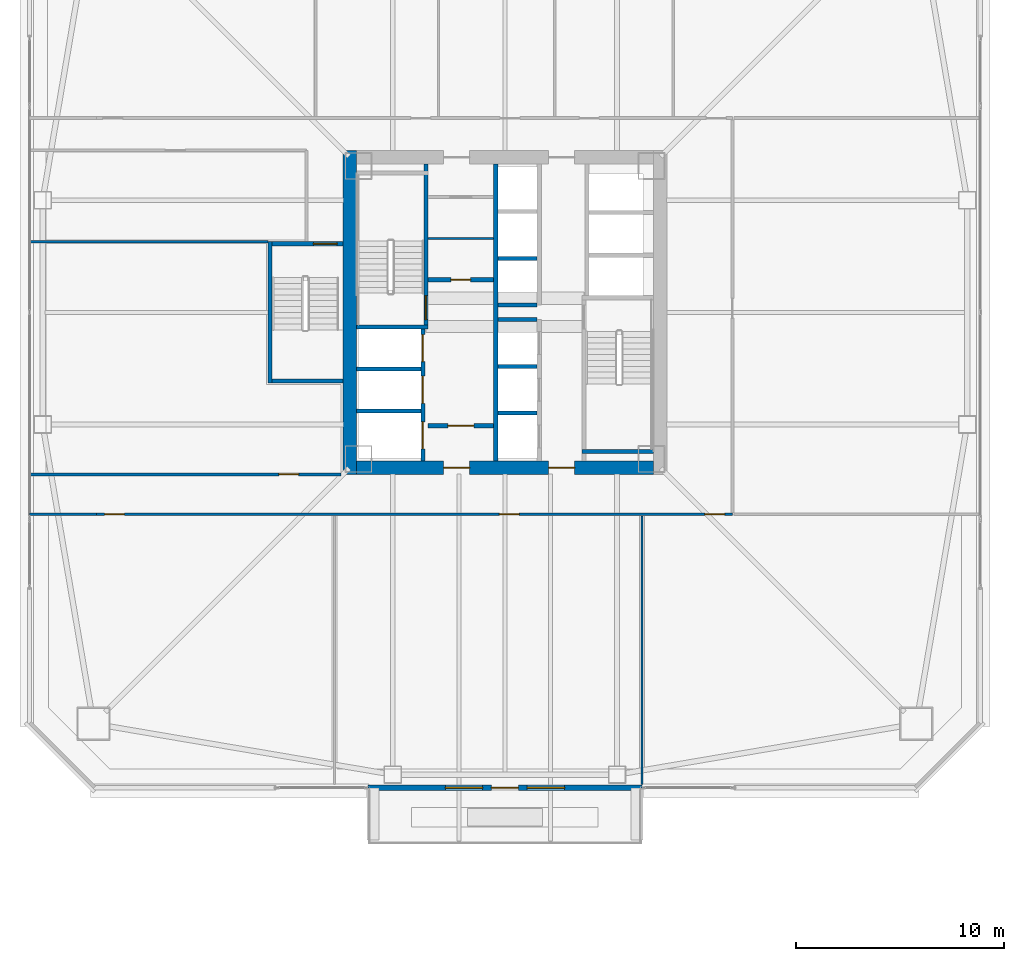
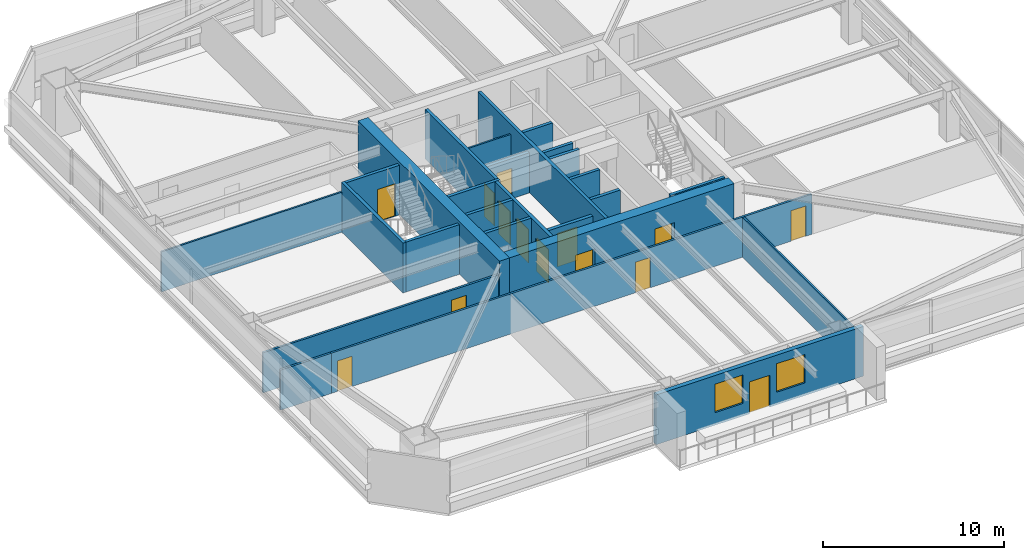
# One storey, part 36 of 48: 26 walls, 14 doors, 2 windows, 16 openings.
"""IFC4 building model written with IfcOpenShell, lengths in metres."""

from ifc_helpers import new_model, si_unit, direction, frame, frame_2d, origin, place, context, subcontext, project, spatial, rectangle, extrude, material, layer, layer_set, type_object, element, fill, save


model = new_model("IFC4")

# Units and contexts
model_context = context("Model", 3, precision=1e-05, world=origin(), true_north=direction((0.0, 1.0)))
body_context = subcontext(model_context, "Body", "Model", "MODEL_VIEW")
ifc_project = project(units=[si_unit("LENGTHUNIT", "METRE"), si_unit("AREAUNIT", "SQUARE_METRE"), si_unit("VOLUMEUNIT", "CUBIC_METRE"), si_unit("PLANEANGLEUNIT", "RADIAN"), si_unit("MASSUNIT", "GRAM", prefix="KILO")], contexts=[model_context])

# Site, building, storey
site_placement = place(None, origin())
site = spatial("IfcSite", under=ifc_project, at=site_placement, CompositionType="ELEMENT")
building_placement = place(site_placement, origin())
building = spatial("IfcBuilding", under=site, at=building_placement, Name="Tashvorn Skyway Center", CompositionType="ELEMENT")
storey_placement = place(building_placement, frame((0.0, 0.0, 56.550048828125)))
storey = spatial("IfcBuildingStorey", under=building, at=storey_placement, Name="L14", CompositionType="ELEMENT", Elevation=56.550048828125)

# Wall
ifc_material_1 = material(Name="Concrete C60/75", Category="concrete")
ifc_layer_1 = layer(ifc_material_1, 0.64990234375)
ifc_layer_set_1 = layer_set([ifc_layer_1], Name="Concrete C60/75")
wall_type_1 = type_object("IfcWallType", Name="WALL-CORE-650", PredefinedType="SHEAR", material=ifc_layer_set_1)
wall_1_placement = place(storey_placement, frame((34.52490234375, 24.199951171875, 0.0), z_axis=(0.0, 0.0, 1.0), x_axis=(0.0, 1.0, 0.0)))
element("IfcWall", 1, at=wall_1_placement, inside=storey, type_object=wall_type_1, Name="Tower 1 L14 West Core Shear Wall", PredefinedType="SHEAR", context=body_context, shape_type="SweptSolid", body=[
    extrude(rectangle(XDim=15.60009765625, YDim=0.64990234375, at=frame_2d((7.800048828125, 0.0))), origin(), (0.0, 0.0, 1.0), 3.550048828125),
])

# Wall, openings, doors
wall_2_placement = place(storey_placement, frame((49.14990234375, 24.52490234375, 0.0), z_axis=(0.0, 0.0, 1.0), x_axis=(-1.0, 0.0, 0.0)))
wall_2 = element("IfcWall", 2, at=wall_2_placement, inside=storey, type_object=wall_type_1, Name="Tower 1 L14 South Core Shear Wall", PredefinedType="SHEAR", context=body_context, shape_type="SweptSolid", body=[
    extrude(rectangle(XDim=14.2998046875, YDim=0.64990234375, at=frame_2d((7.14990234375, 0.0))), origin(), (0.0, 0.0, 1.0), 3.550048828125),
])
opening_1_placement = place(wall_2_placement, frame((8.85009765625, 0.0, 0.0)))
opening_1 = element("IfcOpeningElement", 3, at=opening_1_placement, cuts=wall_2, Name="Opening D-FFL-1250", PredefinedType="OPENING", context=body_context, shape_type="SweptSolid", body=[
    extrude(rectangle(XDim=1.25, YDim=2.25, at=frame_2d((0.625, 1.125))), frame((0.0, 0.3349609375, 0.0), z_axis=(0.0, -1.0, 0.0), x_axis=(1.0, 0.0, 0.0)), (0.0, 0.0, 1.0), 0.669921875),
])
opening_2_placement = place(wall_2_placement, frame((3.800048828125, 0.0, 0.0)))
opening_2 = element("IfcOpeningElement", 4, at=opening_2_placement, cuts=wall_2, Name="Opening D-FFL-1250", PredefinedType="OPENING", context=body_context, shape_type="SweptSolid", body=[
    extrude(rectangle(XDim=1.25, YDim=2.25, at=frame_2d((0.625, 1.125))), frame((0.0, 0.3349609375, 0.0), z_axis=(0.0, -1.0, 0.0), x_axis=(1.0, 0.0, 0.0)), (0.0, 0.0, 1.0), 0.669921875),
])
ifc_material_2 = material(Name="Hollow galvanized steel fire door assembly", Category="steel")
door_type_1 = type_object("IfcDoorType", Name="DOOR-FFL-1250", OperationType="NOTDEFINED", PredefinedType="DOOR", material=ifc_material_2)
door_1_placement = place(opening_1_placement, origin())
door_1 = element("IfcDoor", 5, at=door_1_placement, inside=storey, type_object=door_type_1, Name="Tower 1 L14 Core South Firefighting Exit Door", OperationType="SINGLE_SWING_LEFT", OverallHeight=2.25, OverallWidth=1.25, PredefinedType="DOOR", context=body_context, shape_type="SweptSolid", body=[
    extrude(rectangle(XDim=1.25, YDim=2.25, at=frame_2d((0.625, 1.125))), frame((0.0, 0.02490234375, 0.0), z_axis=(0.0, -1.0, 0.0), x_axis=(1.0, 0.0, 0.0)), (0.0, 0.0, 1.0), 0.050048828125),
])
fill(opening_1, door_1)
door_2_placement = place(opening_2_placement, origin())
door_2 = element("IfcDoor", 6, at=door_2_placement, inside=storey, type_object=door_type_1, Name="Tower 1 L14 Core South Lift Lobby Door", OperationType="SINGLE_SWING_RIGHT", OverallHeight=2.25, OverallWidth=1.25, PredefinedType="DOOR", context=body_context, shape_type="SweptSolid", body=[
    extrude(rectangle(XDim=1.25, YDim=2.25, at=frame_2d((0.625, 1.125))), frame((0.0, 0.02490234375, 0.0), z_axis=(0.0, -1.0, 0.0), x_axis=(1.0, 0.0, 0.0)), (0.0, 0.0, 1.0), 0.050048828125),
])
fill(opening_2, door_2)

# Wall, openings, door, windows
ifc_material_3 = material(Name="Precast concrete C40/50", Category="concrete")
ifc_layer_2 = layer(ifc_material_3, 0.280029296875)
ifc_layer_set_2 = layer_set([ifc_layer_2], Name="Precast concrete C40/50")
wall_type_2 = type_object("IfcWallType", Name="WALL-EXT-280", PredefinedType="SOLIDWALL", material=ifc_layer_set_2)
wall_3_placement = place(storey_placement, frame((48.60009765625, 9.1201171875, 0.0), z_axis=(0.0, 0.0, 1.0), x_axis=(-1.0, 0.0, 0.0)))
wall_3 = element("IfcWall", 7, at=wall_3_placement, inside=storey, type_object=wall_type_2, Name="Tower 1 L14 South Sky Garden Loggia Wall", PredefinedType="SOLIDWALL", context=body_context, shape_type="SweptSolid", body=[
    extrude(rectangle(XDim=13.2001953125, YDim=0.280029296875, at=frame_2d((6.60009765625, 0.0))), origin(), (0.0, 0.0, 1.0), 3.349853515625),
])
opening_3_placement = place(wall_3_placement, frame((5.949951171875, 0.0, 0.0)))
opening_3 = element("IfcOpeningElement", 8, at=opening_3_placement, cuts=wall_3, Name="Opening D-TER-1300", PredefinedType="OPENING", context=body_context, shape_type="SweptSolid", body=[
    extrude(rectangle(XDim=1.300048828125, YDim=2.14990234375, at=frame_2d((0.64990234375, 1.074951171875))), frame((0.0, 0.14990234375, 0.0), z_axis=(0.0, -1.0, 0.0), x_axis=(1.0, 0.0, 0.0)), (0.0, 0.0, 1.0), 0.300048828125),
])
opening_4_placement = place(wall_3_placement, frame((3.73193359375, 0.0, 0.85009765625)))
opening_4 = element("IfcOpeningElement", 9, at=opening_4_placement, cuts=wall_3, Name="Opening WIN-1800", PredefinedType="OPENING", context=body_context, shape_type="SweptSolid", body=[
    extrude(rectangle(XDim=1.800048828125, YDim=1.919921875, at=frame_2d((0.89990234375, 0.9599609375))), frame((0.0, 0.14990234375, 0.0), z_axis=(0.0, -1.0, 0.0), x_axis=(1.0, 0.0, 0.0)), (0.0, 0.0, 1.0), 0.300048828125),
])
opening_5_placement = place(wall_3_placement, frame((7.66796875, 0.0, 0.85009765625)))
opening_5 = element("IfcOpeningElement", 10, at=opening_5_placement, cuts=wall_3, Name="Opening WIN-1800", PredefinedType="OPENING", context=body_context, shape_type="SweptSolid", body=[
    extrude(rectangle(XDim=1.800048828125, YDim=1.919921875, at=frame_2d((0.89990234375, 0.9599609375))), frame((0.0, 0.14990234375, 0.0), z_axis=(0.0, -1.0, 0.0), x_axis=(1.0, 0.0, 0.0)), (0.0, 0.0, 1.0), 0.300048828125),
])
ifc_material_4 = material(Name="Thermally broken bronze-anodized aluminium 6063-T6", Category="aluminium")
door_type_2 = type_object("IfcDoorType", Name="DOOR-TERR-1300", OperationType="NOTDEFINED", PredefinedType="DOOR", material=ifc_material_4)
door_3_placement = place(opening_3_placement, origin())
door_3 = element("IfcDoor", 11, at=door_3_placement, inside=storey, type_object=door_type_2, Name="Tower 1 L14 Sky Garden Access Door", OperationType="SINGLE_SWING_RIGHT", OverallHeight=2.14990234375, OverallWidth=1.300048828125, PredefinedType="DOOR", context=body_context, shape_type="SweptSolid", body=[
    extrude(rectangle(XDim=1.300048828125, YDim=2.14990234375, at=frame_2d((0.64990234375, 1.074951171875))), frame((0.0, 0.02490234375, 0.0), z_axis=(0.0, -1.0, 0.0), x_axis=(1.0, 0.0, 0.0)), (0.0, 0.0, 1.0), 0.050048828125),
])
fill(opening_3, door_3)
ifc_material_5 = material(Name="Low-E solar-control double insulating safety glass", Category="glass")
window_type = type_object("IfcWindowType", Name="WIN-TERR-1800", PartitioningType="SINGLE_PANEL", PredefinedType="WINDOW", material=ifc_material_5)
window_1_placement = place(opening_4_placement, origin())
window_1 = element("IfcWindow", 12, at=window_1_placement, inside=storey, type_object=window_type, Name="Tower 1 L14 Sky Garden Window", OverallHeight=1.919921875, OverallWidth=1.800048828125, PartitioningType="SINGLE_PANEL", PredefinedType="WINDOW", context=body_context, shape_type="SweptSolid", body=[
    extrude(rectangle(XDim=1.800048828125, YDim=1.919921875, at=frame_2d((0.89990234375, 0.9599609375))), frame((0.0, 0.030029296875, 0.0), z_axis=(0.0, -1.0, 0.0), x_axis=(1.0, 0.0, 0.0)), (0.0, 0.0, 1.0), 0.06005859375),
])
fill(opening_4, window_1)
window_2_placement = place(opening_5_placement, origin())
window_2 = element("IfcWindow", 13, at=window_2_placement, inside=storey, type_object=window_type, Name="Tower 1 L14 Sky Garden Second Window", OverallHeight=1.919921875, OverallWidth=1.800048828125, PartitioningType="SINGLE_PANEL", PredefinedType="WINDOW", context=body_context, shape_type="SweptSolid", body=[
    extrude(rectangle(XDim=1.800048828125, YDim=1.919921875, at=frame_2d((0.89990234375, 0.9599609375))), frame((0.0, 0.030029296875, 0.0), z_axis=(0.0, -1.0, 0.0), x_axis=(1.0, 0.0, 0.0)), (0.0, 0.0, 1.0), 0.06005859375),
])
fill(opening_5, window_2)

# Wall, opening, door
ifc_material_6 = material(Name="Concrete C40/50", Category="concrete")
ifc_layer_3 = layer(ifc_material_6, 0.219970703125)
ifc_layer_set_3 = layer_set([ifc_layer_3], Name="Concrete C40/50")
wall_type_3 = type_object("IfcWallType", Name="WALL-FFL-220", PredefinedType="SOLIDWALL", material=ifc_layer_set_3)
wall_4_placement = place(storey_placement, frame((38.300048828125, 33.56005859375, 0.0), z_axis=(0.0, 0.0, 1.0), x_axis=(1.0, 0.0, 0.0)))
wall_4 = element("IfcWall", 14, at=wall_4_placement, inside=storey, type_object=wall_type_3, Name="Tower 1 L14 Firefighting Lobby North Wall", PredefinedType="SOLIDWALL", context=body_context, shape_type="SweptSolid", body=[
    extrude(rectangle(XDim=3.14990234375, YDim=0.219970703125, at=frame_2d((1.574951171875, 0.0))), origin(), (0.0, 0.0, 1.0), 2.702880859375),
])
opening_6_placement = place(wall_4_placement, frame((1.10009765625, 0.0, 0.0)))
opening_6 = element("IfcOpeningElement", 15, at=opening_6_placement, cuts=wall_4, Name="Opening D-RT-950", PredefinedType="OPENING", context=body_context, shape_type="SweptSolid", body=[
    extrude(rectangle(XDim=0.949951171875, YDim=2.050048828125, at=frame_2d((0.47509765625, 1.02490234375))), frame((0.0, 0.119873046875, 0.0), z_axis=(0.0, -1.0, 0.0), x_axis=(1.0, 0.0, 0.0)), (0.0, 0.0, 1.0), 0.239990234375),
])
door_type_3 = type_object("IfcDoorType", Name="DOOR-RATED-950", OperationType="NOTDEFINED", PredefinedType="DOOR", material=ifc_material_2)
door_4_placement = place(opening_6_placement, origin())
door_4 = element("IfcDoor", 16, at=door_4_placement, inside=storey, type_object=door_type_3, Name="Tower 1 L14 Core Linen Store Door", OperationType="SINGLE_SWING_LEFT", OverallHeight=2.050048828125, OverallWidth=0.949951171875, PredefinedType="DOOR", context=body_context, shape_type="SweptSolid", body=[
    extrude(rectangle(XDim=0.949951171875, YDim=2.050048828125, at=frame_2d((0.47509765625, 1.02490234375))), frame((0.0, 0.02490234375, 0.0), z_axis=(0.0, -1.0, 0.0), x_axis=(1.0, 0.0, 0.0)), (0.0, 0.0, 1.0), 0.050048828125),
])
fill(opening_6, door_4)

wall_5_placement = place(storey_placement, frame((38.300048828125, 26.5400390625, 0.0), z_axis=(0.0, 0.0, 1.0), x_axis=(1.0, 0.0, 0.0)))
wall_5 = element("IfcWall", 17, at=wall_5_placement, inside=storey, type_object=wall_type_3, Name="Tower 1 L14 Firefighting Lobby South Wall", PredefinedType="SOLIDWALL", context=body_context, shape_type="SweptSolid", body=[
    extrude(rectangle(XDim=3.14990234375, YDim=0.219970703125, at=frame_2d((1.574951171875, 0.0))), origin(), (0.0, 0.0, 1.0), 2.702880859375),
])
opening_7_placement = place(wall_5_placement, frame((0.949951171875, 0.0, 0.0)))
opening_7 = element("IfcOpeningElement", 18, at=opening_7_placement, cuts=wall_5, Name="Opening D-FFL-1250", PredefinedType="OPENING", context=body_context, shape_type="SweptSolid", body=[
    extrude(rectangle(XDim=1.25, YDim=2.25, at=frame_2d((0.625, 1.125))), frame((0.0, 0.119873046875, 0.0), z_axis=(0.0, -1.0, 0.0), x_axis=(1.0, 0.0, 0.0)), (0.0, 0.0, 1.0), 0.239990234375),
])
door_5_placement = place(opening_7_placement, origin())
door_5 = element("IfcDoor", 19, at=door_5_placement, inside=storey, type_object=door_type_1, Name="Tower 1 L14 Firefighting Lobby Egress Door", OperationType="SINGLE_SWING_LEFT", OverallHeight=2.25, OverallWidth=1.25, PredefinedType="DOOR", context=body_context, shape_type="SweptSolid", body=[
    extrude(rectangle(XDim=1.25, YDim=2.25, at=frame_2d((0.625, 1.125))), frame((0.0, 0.02490234375, 0.0), z_axis=(0.0, -1.0, 0.0), x_axis=(1.0, 0.0, 0.0)), (0.0, 0.0, 1.0), 0.050048828125),
])
fill(opening_7, door_5)

# Walls
ifc_material_7 = material(Name="Gypsum board on cold-formed steel stud framing", Category="steel")
ifc_layer_4 = layer(ifc_material_7, 0.110107421875)
ifc_layer_set_4 = layer_set([ifc_layer_4], Name="Gypsum board on cold-formed steel stud framing")
wall_type_4 = type_object("IfcWallType", Name="WALL-PART-110", PredefinedType="PARTITIONING", material=ifc_layer_set_4)
wall_6_placement = place(storey_placement, frame((48.60009765625, 9.27001953125, 0.0), z_axis=(0.0, 0.0, 1.0), x_axis=(0.0, 1.0, 0.0)))
element("IfcWall", 20, at=wall_6_placement, inside=storey, type_object=wall_type_4, Name="Tower 1 L14 South Suite Partition 2", PredefinedType="PARTITIONING", context=body_context, shape_type="SweptSolid", body=[
    extrude(rectangle(XDim=12.929931640625, YDim=0.110107421875, at=frame_2d((6.46484375, 0.0))), origin(), (0.0, 0.0, 1.0), 2.702880859375),
])
wall_7_placement = place(storey_placement, frame((30.60009765625, 35.39990234375, 0.0), z_axis=(0.0, 0.0, 1.0), x_axis=(-1.0, 0.0, 0.0)))
element("IfcWall", 21, at=wall_7_placement, inside=storey, type_object=wall_type_4, Name="Tower 1 L14 West Suite Partition 1", PredefinedType="PARTITIONING", context=body_context, shape_type="SweptSolid", body=[
    extrude(rectangle(XDim=11.47998046875, YDim=0.110107421875, at=frame_2d((5.739990234375, 0.0))), origin(), (0.0, 0.0, 1.0), 2.702880859375),
])

# Wall, openings, doors
ifc_layer_5 = layer(ifc_material_7, 0.135009765625)
ifc_layer_set_5 = layer_set([ifc_layer_5], Name="Gypsum board on cold-formed steel stud framing")
wall_type_5 = type_object("IfcWallType", Name="WALL-PART-135", PredefinedType="PARTITIONING", material=ifc_layer_set_5)
wall_8_placement = place(storey_placement, frame((52.949951171875, 22.280029296875, 0.0), z_axis=(0.0, 0.0, 1.0), x_axis=(-1.0, 0.0, 0.0)))
wall_8 = element("IfcWall", 22, at=wall_8_placement, inside=storey, type_object=wall_type_5, Name="Tower 1 L14 South Suite Wall", PredefinedType="PARTITIONING", context=body_context, shape_type="SweptSolid", body=[
    extrude(rectangle(XDim=30.599853515625, YDim=0.135009765625, at=frame_2d((15.2998046875, 0.0))), origin(), (0.0, 0.0, 1.0), 2.702880859375),
])
opening_8_placement = place(wall_8_placement, frame((29.27001953125, 0.0, 0.0)))
opening_8 = element("IfcOpeningElement", 23, at=opening_8_placement, cuts=wall_8, Name="Opening D-INT-950", PredefinedType="OPENING", context=body_context, shape_type="SweptSolid", body=[
    extrude(rectangle(XDim=0.949951171875, YDim=2.050048828125, at=frame_2d((0.47509765625, 1.02490234375))), frame((0.0, 0.077392578125, 0.0), z_axis=(0.0, -1.0, 0.0), x_axis=(1.0, 0.0, 0.0)), (0.0, 0.0, 1.0), 0.155029296875),
])
opening_9_placement = place(wall_8_placement, frame((10.26806640625, 0.0, 0.0)))
opening_9 = element("IfcOpeningElement", 24, at=opening_9_placement, cuts=wall_8, Name="Opening D-INT-950", PredefinedType="OPENING", context=body_context, shape_type="SweptSolid", body=[
    extrude(rectangle(XDim=0.949951171875, YDim=2.050048828125, at=frame_2d((0.47509765625, 1.02490234375))), frame((0.0, 0.077392578125, 0.0), z_axis=(0.0, -1.0, 0.0), x_axis=(1.0, 0.0, 0.0)), (0.0, 0.0, 1.0), 0.155029296875),
])
opening_10_placement = place(wall_8_placement, frame((0.3798828125, 0.0, 0.0)))
opening_10 = element("IfcOpeningElement", 25, at=opening_10_placement, cuts=wall_8, Name="Opening D-INT-950", PredefinedType="OPENING", context=body_context, shape_type="SweptSolid", body=[
    extrude(rectangle(XDim=0.949951171875, YDim=2.050048828125, at=frame_2d((0.47509765625, 1.02490234375))), frame((0.0, 0.077392578125, 0.0), z_axis=(0.0, -1.0, 0.0), x_axis=(1.0, 0.0, 0.0)), (0.0, 0.0, 1.0), 0.155029296875),
])
ifc_material_8 = material(Name="Solid-core architectural oak veneer door")
door_type_4 = type_object("IfcDoorType", Name="DOOR-INT-950", OperationType="NOTDEFINED", PredefinedType="DOOR", material=ifc_material_8)
door_6_placement = place(opening_8_placement, origin())
door_6 = element("IfcDoor", 26, at=door_6_placement, inside=storey, type_object=door_type_4, Name="Tower 1 L14 Research Library Door", OperationType="SINGLE_SWING_RIGHT", OverallHeight=2.050048828125, OverallWidth=0.949951171875, PredefinedType="DOOR", context=body_context, shape_type="SweptSolid", body=[
    extrude(rectangle(XDim=0.949951171875, YDim=2.050048828125, at=frame_2d((0.47509765625, 1.02490234375))), frame((0.0, 0.02490234375, 0.0), z_axis=(0.0, -1.0, 0.0), x_axis=(1.0, 0.0, 0.0)), (0.0, 0.0, 1.0), 0.050048828125),
])
fill(opening_8, door_6)
door_7_placement = place(opening_9_placement, origin())
door_7 = element("IfcDoor", 27, at=door_7_placement, inside=storey, type_object=door_type_4, Name="Tower 1 L14 Collaborative Studio Door", OperationType="SINGLE_SWING_LEFT", OverallHeight=2.050048828125, OverallWidth=0.949951171875, PredefinedType="DOOR", context=body_context, shape_type="SweptSolid", body=[
    extrude(rectangle(XDim=0.949951171875, YDim=2.050048828125, at=frame_2d((0.47509765625, 1.02490234375))), frame((0.0, 0.02490234375, 0.0), z_axis=(0.0, -1.0, 0.0), x_axis=(1.0, 0.0, 0.0)), (0.0, 0.0, 1.0), 0.050048828125),
])
fill(opening_9, door_7)
door_8_placement = place(opening_10_placement, origin())
door_8 = element("IfcDoor", 28, at=door_8_placement, inside=storey, type_object=door_type_4, Name="Tower 1 L14 Collaborative Studio Door", OperationType="SINGLE_SWING_RIGHT", OverallHeight=2.050048828125, OverallWidth=0.949951171875, PredefinedType="DOOR", context=body_context, shape_type="SweptSolid", body=[
    extrude(rectangle(XDim=0.949951171875, YDim=2.050048828125, at=frame_2d((0.47509765625, 1.02490234375))), frame((0.0, 0.02490234375, 0.0), z_axis=(0.0, -1.0, 0.0), x_axis=(1.0, 0.0, 0.0)), (0.0, 0.0, 1.0), 0.050048828125),
])
fill(opening_10, door_8)

# Wall
wall_9_placement = place(storey_placement, frame((19.1201171875, 22.280029296875, 0.0), z_axis=(0.0, 0.0, 1.0), x_axis=(1.0, 0.0, 0.0)))
element("IfcWall", 29, at=wall_9_placement, inside=storey, type_object=wall_type_5, Name="Tower 1 L14 South-West Suite North Wall", PredefinedType="PARTITIONING", context=body_context, shape_type="SweptSolid", body=[
    extrude(rectangle(XDim=3.22998046875, YDim=0.135009765625, at=frame_2d((1.614990234375, 0.0))), origin(), (0.0, 0.0, 1.0), 2.702880859375),
])

# Wall, opening, door
wall_10_placement = place(storey_placement, frame((19.1201171875, 24.199951171875, 0.0), z_axis=(0.0, 0.0, 1.0), x_axis=(1.0, 0.0, 0.0)))
wall_10 = element("IfcWall", 30, at=wall_10_placement, inside=storey, type_object=wall_type_5, Name="Tower 1 L14 West Suite South Wall", PredefinedType="PARTITIONING", context=body_context, shape_type="SweptSolid", body=[
    extrude(rectangle(XDim=15.0, YDim=0.135009765625, at=frame_2d((7.5, 0.0))), origin(), (0.0, 0.0, 1.0), 2.702880859375),
])
opening_11_placement = place(wall_10_placement, frame((12.0048828125, 0.0, 0.0)))
opening_11 = element("IfcOpeningElement", 31, at=opening_11_placement, cuts=wall_10, Name="Opening D-INT-950", PredefinedType="OPENING", context=body_context, shape_type="SweptSolid", body=[
    extrude(rectangle(XDim=0.949951171875, YDim=2.050048828125, at=frame_2d((0.47509765625, 1.02490234375))), frame((0.0, 0.077392578125, 0.0), z_axis=(0.0, -1.0, 0.0), x_axis=(1.0, 0.0, 0.0)), (0.0, 0.0, 1.0), 0.155029296875),
])
door_9_placement = place(opening_11_placement, origin())
door_9 = element("IfcDoor", 32, at=door_9_placement, inside=storey, type_object=door_type_4, Name="Tower 1 L14 Public Restroom Door", OperationType="SINGLE_SWING_LEFT", OverallHeight=2.050048828125, OverallWidth=0.949951171875, PredefinedType="DOOR", context=body_context, shape_type="SweptSolid", body=[
    extrude(rectangle(XDim=0.949951171875, YDim=2.050048828125, at=frame_2d((0.47509765625, 1.02490234375))), frame((0.0, 0.02490234375, 0.0), z_axis=(0.0, -1.0, 0.0), x_axis=(1.0, 0.0, 0.0)), (0.0, 0.0, 1.0), 0.050048828125),
])
fill(opening_11, door_9)

# Walls
ifc_layer_6 = layer(ifc_material_7, 0.110107421875)
ifc_layer_set_6 = layer_set([ifc_layer_6], Name="Gypsum board on cold-formed steel stud framing")
wall_type_6 = type_object("IfcWallType", Name="WALL-RATED-110", PredefinedType="PARTITIONING", material=ifc_layer_set_6)
wall_11_placement = place(storey_placement, frame((38.300048828125, 35.550048828125, 0.0), z_axis=(0.0, 0.0, 1.0), x_axis=(1.0, 0.0, 0.0)))
element("IfcWall", 33, at=wall_11_placement, inside=storey, type_object=wall_type_6, Name="Tower 1 L14 Core Transverse Wall", PredefinedType="PARTITIONING", context=body_context, shape_type="SweptSolid", body=[
    extrude(rectangle(XDim=3.14990234375, YDim=0.110107421875, at=frame_2d((1.574951171875, 0.0))), origin(), (0.0, 0.0, 1.0), 2.702880859375),
])
ifc_layer_7 = layer(ifc_material_6, 0.199951171875)
ifc_layer_set_7 = layer_set([ifc_layer_7], Name="Concrete C40/50")
wall_type_7 = type_object("IfcWallType", Name="WALL-SHAFT-200", PredefinedType="SOLIDWALL", material=ifc_layer_set_7)
for number, where, z_axis, x_axis, name in (
    (34, (34.85009765625, 27.25, 0.0), (0.0, 0.0, 1.0), (1.0, 0.0, 0.0), "Tower 1 L14 FSAE Shaft Divider"),
    (35, (34.85009765625, 29.280029296875, 0.0), (0.0, 0.0, 1.0), (1.0, 0.0, 0.0), "Tower 1 L14 FSAE Shaft Divider"),
):
    element("IfcWall", number, at=place(storey_placement, frame(where, z_axis=z_axis, x_axis=x_axis)), inside=storey, type_object=wall_type_7, Name=name, PredefinedType="SOLIDWALL", context=body_context, shape_type="SweptSolid", body=[
        extrude(rectangle(XDim=3.099853515625, YDim=0.199951171875, at=frame_2d((1.5498046875, 0.0))), origin(), (0.0, 0.0, 1.0), 3.349853515625),
    ])
for number, where, z_axis, x_axis, name in (
    (36, (41.669921875, 27.14990234375, 0.0), (0.0, 0.0, 1.0), (1.0, 0.0, 0.0), "Tower 1 L14 Low-Rise Shaft Divider"),
    (37, (41.669921875, 29.39990234375, 0.0), (0.0, 0.0, 1.0), (1.0, 0.0, 0.0), "Tower 1 L14 Low-Rise Shaft Divider"),
    (38, (41.669921875, 31.64990234375, 0.0), (0.0, 0.0, 1.0), (1.0, 0.0, 0.0), "Tower 1 L14 Low-Rise Shaft Divider"),
    (39, (41.669921875, 32.35009765625, 0.0), (0.0, 0.0, 1.0), (1.0, 0.0, 0.0), "Tower 1 L14 Mid-Rise Shaft Divider"),
    (40, (41.669921875, 34.60009765625, 0.0), (0.0, 0.0, 1.0), (1.0, 0.0, 0.0), "Tower 1 L14 Mid-Rise Shaft Divider"),
):
    element("IfcWall", number, at=place(storey_placement, frame(where, z_axis=z_axis, x_axis=x_axis)), inside=storey, type_object=wall_type_7, Name=name, PredefinedType="SOLIDWALL", context=body_context, shape_type="SweptSolid", body=[
        extrude(rectangle(XDim=1.880126953125, YDim=0.199951171875, at=frame_2d((0.93994140625, 0.0))), origin(), (0.0, 0.0, 1.0), 3.349853515625),
    ])

# Wall, opening, door
ifc_layer_8 = layer(ifc_material_6, 0.199951171875)
ifc_layer_set_8 = layer_set([ifc_layer_8], Name="Concrete C40/50")
wall_type_8 = type_object("IfcWallType", Name="WALL-STSHF-200", PredefinedType="SHEAR", material=ifc_layer_set_8)
wall_12_placement = place(storey_placement, frame((38.199951171875, 31.199951171875, 0.0), z_axis=(0.0, 0.0, 1.0), x_axis=(0.0, 1.0, 0.0)))
wall_12 = element("IfcWall", 41, at=wall_12_placement, inside=storey, type_object=wall_type_8, Name="Tower 1 L14 Stair 1 Enclosure Wall", PredefinedType="SHEAR", context=body_context, shape_type="SweptSolid", body=[
    extrude(rectangle(XDim=7.949951171875, YDim=0.199951171875, at=frame_2d((3.97509765625, 0.0))), origin(), (0.0, 0.0, 1.0), 3.349853515625),
])
opening_12_placement = place(wall_12_placement, frame((0.449951171875, 0.0, 0.0)))
opening_12 = element("IfcOpeningElement", 42, at=opening_12_placement, cuts=wall_12, Name="Opening D-ST-1150", PredefinedType="OPENING", context=body_context, shape_type="SweptSolid", body=[
    extrude(rectangle(XDim=1.14990234375, YDim=2.199951171875, at=frame_2d((0.574951171875, 1.10009765625))), frame((0.0, 0.10986328125, 0.0), z_axis=(0.0, -1.0, 0.0), x_axis=(1.0, 0.0, 0.0)), (0.0, 0.0, 1.0), 0.219970703125),
])
door_type_5 = type_object("IfcDoorType", Name="DOOR-STAIR-1150", OperationType="NOTDEFINED", PredefinedType="DOOR", material=ifc_material_2)
door_10_placement = place(opening_12_placement, origin())
door_10 = element("IfcDoor", 43, at=door_10_placement, inside=storey, type_object=door_type_5, Name="Tower 1 L14 Exit Stair 1 Door", OperationType="SINGLE_SWING_RIGHT", OverallHeight=2.199951171875, OverallWidth=1.14990234375, PredefinedType="DOOR", context=body_context, shape_type="SweptSolid", body=[
    extrude(rectangle(XDim=1.14990234375, YDim=2.199951171875, at=frame_2d((0.574951171875, 1.10009765625))), frame((0.0, 0.02490234375, 0.0), z_axis=(0.0, -1.0, 0.0), x_axis=(1.0, 0.0, 0.0)), (0.0, 0.0, 1.0), 0.050048828125),
])
fill(opening_12, door_10)

# Walls
for number, where, z_axis, x_axis, name in (
    (44, (34.85009765625, 31.300048828125, 0.0), (0.0, 0.0, 1.0), (1.0, 0.0, 0.0), "Tower 1 L14 Stair 1 South Wall"),
    (45, (45.699951171875, 25.300048828125, 0.0), (0.0, 0.0, 1.0), (1.0, 0.0, 0.0), "Tower 1 L14 Stair 2 South Wall"),
):
    element("IfcWall", number, at=place(storey_placement, frame(where, z_axis=z_axis, x_axis=x_axis)), inside=storey, type_object=wall_type_8, Name=name, PredefinedType="SHEAR", context=body_context, shape_type="SweptSolid", body=[
        extrude(rectangle(XDim=3.449951171875, YDim=0.199951171875, at=frame_2d((1.72509765625, 0.0))), origin(), (0.0, 0.0, 1.0), 3.349853515625),
    ])
wall_13_placement = place(storey_placement, frame((41.56005859375, 24.85009765625, 0.0), z_axis=(0.0, 0.0, 1.0), x_axis=(0.0, 1.0, 0.0)))
element("IfcWall", 46, at=wall_13_placement, inside=storey, type_object=wall_type_8, Name="Tower 1 L14 Firefighting Lobby East Smoke Barrier", PredefinedType="SHEAR", context=body_context, shape_type="SweptSolid", body=[
    extrude(rectangle(XDim=14.2998046875, YDim=0.199951171875, at=frame_2d((7.14990234375, 0.0))), origin(), (0.0, 0.0, 1.0), 3.349853515625),
])

# Wall, openings, doors
wall_14_placement = place(storey_placement, frame((38.050048828125, 24.85009765625, 0.0), z_axis=(0.0, 0.0, 1.0), x_axis=(0.0, 1.0, 0.0)))
wall_14 = element("IfcWall", 47, at=wall_14_placement, inside=storey, type_object=wall_type_8, Name="Tower 1 L14 FSAE and Goods Shaft Front Wall", PredefinedType="SHEAR", context=body_context, shape_type="SweptSolid", body=[
    extrude(rectangle(XDim=6.349853515625, YDim=0.199951171875, at=frame_2d((3.1748046875, 0.0))), origin(), (0.0, 0.0, 1.0), 3.349853515625),
])
opening_13_placement = place(wall_14_placement, frame((4.77490234375, 0.0, 0.0)))
opening_13 = element("IfcOpeningElement", 48, at=opening_13_placement, cuts=wall_14, Name="Opening LD-FF-T1-1-L14", PredefinedType="OPENING", context=body_context, shape_type="SweptSolid", body=[
    extrude(rectangle(XDim=1.300048828125, YDim=2.25, at=frame_2d((0.64990234375, 1.125))), frame((0.0, 0.10986328125, 0.0), z_axis=(0.0, -1.0, 0.0), x_axis=(1.0, 0.0, 0.0)), (0.0, 0.0, 1.0), 0.219970703125),
])
opening_14_placement = place(wall_14_placement, frame((2.77490234375, 0.0, 0.0)))
opening_14 = element("IfcOpeningElement", 49, at=opening_14_placement, cuts=wall_14, Name="Opening LD-FF-T1-2-L14", PredefinedType="OPENING", context=body_context, shape_type="SweptSolid", body=[
    extrude(rectangle(XDim=1.300048828125, YDim=2.25, at=frame_2d((0.64990234375, 1.125))), frame((0.0, 0.10986328125, 0.0), z_axis=(0.0, -1.0, 0.0), x_axis=(1.0, 0.0, 0.0)), (0.0, 0.0, 1.0), 0.219970703125),
])
opening_15_placement = place(wall_14_placement, frame((0.574951171875, 0.0, 0.0)))
opening_15 = element("IfcOpeningElement", 50, at=opening_15_placement, cuts=wall_14, Name="Opening LD-GD-T1-1-L14", PredefinedType="OPENING", context=body_context, shape_type="SweptSolid", body=[
    extrude(rectangle(XDim=1.300048828125, YDim=2.25, at=frame_2d((0.64990234375, 1.125))), frame((0.0, 0.10986328125, 0.0), z_axis=(0.0, -1.0, 0.0), x_axis=(1.0, 0.0, 0.0)), (0.0, 0.0, 1.0), 0.219970703125),
])
ifc_material_9 = material(Name="Stainless steel heavy-duty landing door", Category="steel")
door_type_6 = type_object("IfcDoorType", Name="DOOR-LIFT-1300", OperationType="SLIDING_TO_LEFT", PredefinedType="DOOR", material=ifc_material_9)
door_11_placement = place(opening_13_placement, origin())
door_11 = element("IfcDoor", 51, at=door_11_placement, inside=storey, type_object=door_type_6, Name="Lift FF-T1-1 L14 Landing Door", OperationType="SLIDING_TO_LEFT", OverallHeight=2.25, OverallWidth=1.300048828125, PredefinedType="DOOR", context=body_context, shape_type="SweptSolid", body=[
    extrude(rectangle(XDim=1.300048828125, YDim=2.25, at=frame_2d((0.64990234375, 1.125))), frame((0.0, 0.02490234375, 0.0), z_axis=(0.0, -1.0, 0.0), x_axis=(1.0, 0.0, 0.0)), (0.0, 0.0, 1.0), 0.050048828125),
])
fill(opening_13, door_11)
door_12_placement = place(opening_14_placement, origin())
door_12 = element("IfcDoor", 52, at=door_12_placement, inside=storey, type_object=door_type_6, Name="Lift FF-T1-2 L14 Landing Door", OperationType="SLIDING_TO_LEFT", OverallHeight=2.25, OverallWidth=1.300048828125, PredefinedType="DOOR", context=body_context, shape_type="SweptSolid", body=[
    extrude(rectangle(XDim=1.300048828125, YDim=2.25, at=frame_2d((0.64990234375, 1.125))), frame((0.0, 0.02490234375, 0.0), z_axis=(0.0, -1.0, 0.0), x_axis=(1.0, 0.0, 0.0)), (0.0, 0.0, 1.0), 0.050048828125),
])
fill(opening_14, door_12)
door_13_placement = place(opening_15_placement, origin())
door_13 = element("IfcDoor", 53, at=door_13_placement, inside=storey, type_object=door_type_6, Name="Lift GD-T1-1 L14 Landing Door", OperationType="SLIDING_TO_LEFT", OverallHeight=2.25, OverallWidth=1.300048828125, PredefinedType="DOOR", context=body_context, shape_type="SweptSolid", body=[
    extrude(rectangle(XDim=1.300048828125, YDim=2.25, at=frame_2d((0.64990234375, 1.125))), frame((0.0, 0.02490234375, 0.0), z_axis=(0.0, -1.0, 0.0), x_axis=(1.0, 0.0, 0.0)), (0.0, 0.0, 1.0), 0.050048828125),
])
fill(opening_15, door_13)

# Wall
wall_15_placement = place(storey_placement, frame((30.699951171875, 28.60009765625, 0.0), z_axis=(0.0, 0.0, 1.0), x_axis=(0.0, 1.0, 0.0)))
element("IfcWall", 54, at=wall_15_placement, inside=storey, type_object=wall_type_8, Name="Tower 1 L14 Stair 3 Outer Wall", PredefinedType="SHEAR", context=body_context, shape_type="SweptSolid", body=[
    extrude(rectangle(XDim=6.7998046875, YDim=0.199951171875, at=frame_2d((3.39990234375, 0.0))), origin(), (0.0, 0.0, 1.0), 3.349853515625),
])

# Wall, opening, door
wall_16_placement = place(storey_placement, frame((34.199951171875, 35.300048828125, 0.0), z_axis=(0.0, 0.0, 1.0), x_axis=(-1.0, 0.0, 0.0)))
wall_16 = element("IfcWall", 55, at=wall_16_placement, inside=storey, type_object=wall_type_8, Name="Tower 1 L14 Stair 3 Enclosure Wall", PredefinedType="SHEAR", context=body_context, shape_type="SweptSolid", body=[
    extrude(rectangle(XDim=3.39990234375, YDim=0.199951171875, at=frame_2d((1.699951171875, 0.0))), origin(), (0.0, 0.0, 1.0), 3.349853515625),
])
opening_16_placement = place(wall_16_placement, frame((0.27490234375, 0.0, 0.0)))
opening_16 = element("IfcOpeningElement", 56, at=opening_16_placement, cuts=wall_16, Name="Opening D-ST-1150", PredefinedType="OPENING", context=body_context, shape_type="SweptSolid", body=[
    extrude(rectangle(XDim=1.14990234375, YDim=2.199951171875, at=frame_2d((0.574951171875, 1.10009765625))), frame((0.0, 0.10986328125, 0.0), z_axis=(0.0, -1.0, 0.0), x_axis=(1.0, 0.0, 0.0)), (0.0, 0.0, 1.0), 0.219970703125),
])
door_14_placement = place(opening_16_placement, origin())
door_14 = element("IfcDoor", 57, at=door_14_placement, inside=storey, type_object=door_type_5, Name="Tower 1 L14 Exit Stair 3 Door", OperationType="SINGLE_SWING_RIGHT", OverallHeight=2.199951171875, OverallWidth=1.14990234375, PredefinedType="DOOR", context=body_context, shape_type="SweptSolid", body=[
    extrude(rectangle(XDim=1.14990234375, YDim=2.199951171875, at=frame_2d((0.574951171875, 1.10009765625))), frame((0.0, 0.02490234375, 0.0), z_axis=(0.0, -1.0, 0.0), x_axis=(1.0, 0.0, 0.0)), (0.0, 0.0, 1.0), 0.050048828125),
])
fill(opening_16, door_14)

# Wall
wall_17_placement = place(storey_placement, frame((30.800048828125, 28.699951171875, 0.0), z_axis=(0.0, 0.0, 1.0), x_axis=(1.0, 0.0, 0.0)))
element("IfcWall", 58, at=wall_17_placement, inside=storey, type_object=wall_type_8, Name="Tower 1 L14 Stair 3 South Wall", PredefinedType="SHEAR", context=body_context, shape_type="SweptSolid", body=[
    extrude(rectangle(XDim=3.39990234375, YDim=0.199951171875, at=frame_2d((1.699951171875, 0.0))), origin(), (0.0, 0.0, 1.0), 3.349853515625),
])

save(model, "model.ifc")
